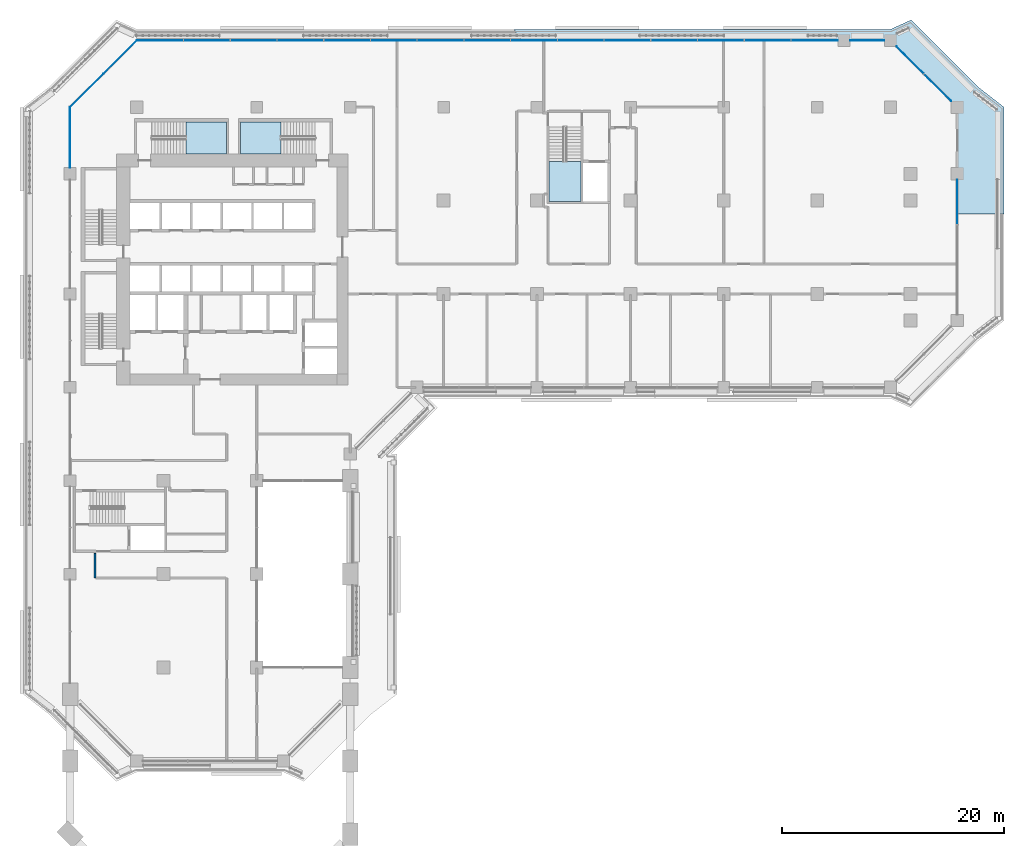
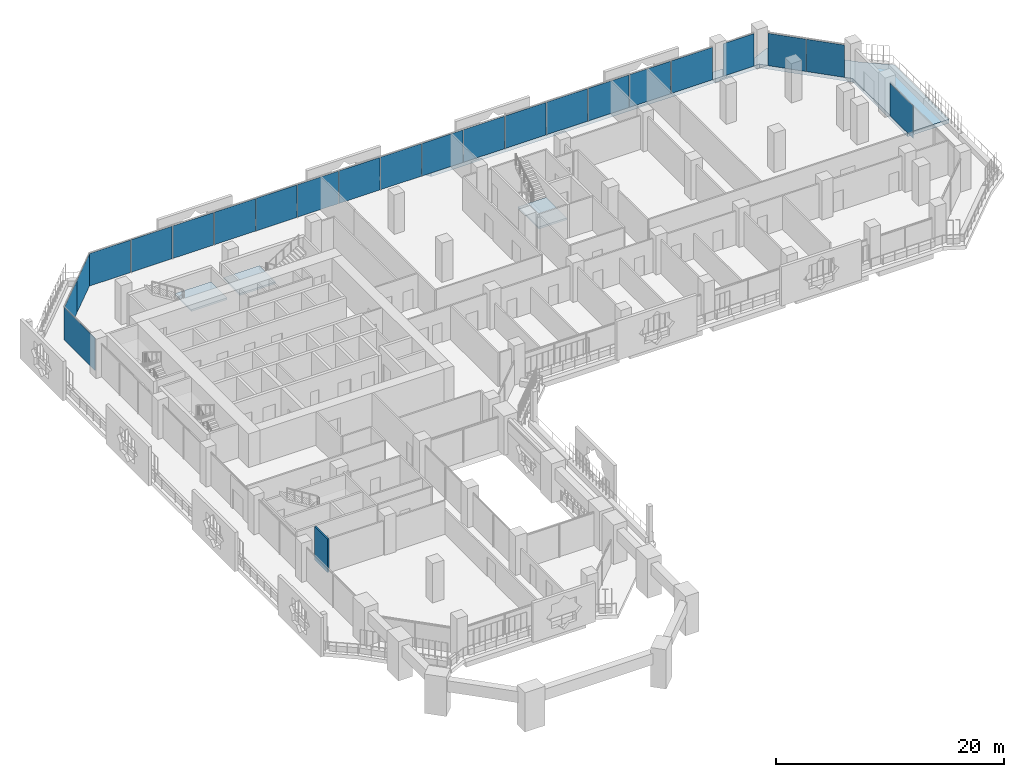
# One storey, part 14 of 29: 22 plates, 4 slabs, 1 wall, 8 elements without a shape of their own.
"""IFC4 building model written with IfcOpenShell, lengths in metres."""

from ifc_helpers import new_model, si_unit, direction, frame, frame_2d, origin, origin_2d, place, context, subcontext, project, spatial, polyline, rectangle, outline, extrude, material, layer, layer_set, type_object, element, aggregate, save


model = new_model("IFC4")

# Units and contexts
model_context = context("Model", 3, precision=1e-05, world=origin(), true_north=direction((0.0, 1.0)))
body_context = subcontext(model_context, "Body", "Model", "MODEL_VIEW")
ifc_project = project(units=[si_unit("LENGTHUNIT", "METRE"), si_unit("AREAUNIT", "SQUARE_METRE"), si_unit("VOLUMEUNIT", "CUBIC_METRE"), si_unit("PLANEANGLEUNIT", "RADIAN"), si_unit("MASSUNIT", "GRAM", prefix="KILO")], contexts=[model_context])

# Site, building, storey
site_placement = place(None, origin())
site = spatial("IfcSite", under=ifc_project, at=site_placement, CompositionType="ELEMENT")
building_placement = place(site_placement, origin())
building = spatial("IfcBuilding", under=site, at=building_placement, Name="Kawkab Arch Medical Tower", CompositionType="ELEMENT")
storey_placement = place(building_placement, frame((0.0, 0.0, 107.199951171875)))
storey = spatial("IfcBuildingStorey", under=building, at=storey_placement, Name="L24", CompositionType="ELEMENT", Elevation=107.199951171875)

# Curtain wall, plate
ifc_material_1 = material(Name="Bronze anodised aluminium curtain wall frame", Category="aluminium")
ifc_layer_1 = layer(ifc_material_1, 0.159912109375)
ifc_layer_set_1 = layer_set([ifc_layer_1], Name="Bronze anodised aluminium curtain wall frame")
curtain_wall_type_1 = type_object("IfcCurtainWallType", Name="CW1 ward curtain wall", PredefinedType="NOTDEFINED", material=ifc_layer_set_1)
placement_1 = place(storey_placement, origin())
curtain_wall_1 = element("IfcCurtainWall", 1, at=placement_1, inside=storey, type_object=curtain_wall_type_1, Name="CW1 Ward curtain wall R09", PredefinedType="NOTDEFINED")
ifc_material_2 = material(Name="Tinted insulating glass, bronze low-e coating", Category="glass")
ifc_layer_2 = layer(ifc_material_2, 0.031982421875)
ifc_layer_set_2 = layer_set([ifc_layer_2], Name="Tinted insulating glass, bronze low-e coating")
plate_type_1 = type_object("IfcPlateType", Name="CW1 glazing unit 32", PredefinedType="CURTAIN_PANEL", material=ifc_layer_set_2)
plate_1_placement = place(storey_placement, frame((79.800048828125, -8.5517578125, 0.0), z_axis=(0.0, 0.0, 1.0), x_axis=(0.0, 1.0, 0.0)))
plate_1 = element("IfcPlate", 2, at=plate_1_placement, type_object=plate_type_1, Name="CW1 glazing unit 1.3", PredefinedType="CURTAIN_PANEL", context=body_context, shape_type="SweptSolid", body=[
    extrude(rectangle(XDim=4.00341796875, YDim=0.031982421875, at=origin_2d()), origin(), (0.0, 0.0, 1.0), 3.47998046875),
])
aggregate(curtain_wall_1, [plate_1])

# Curtain wall, plates
curtain_wall_2 = element("IfcCurtainWall", 3, at=placement_1, inside=storey, type_object=curtain_wall_type_1, Name="CW1 Ward curtain wall R11", PredefinedType="NOTDEFINED")
plate_2_placement = place(storey_placement, frame((71.699951171875, 6.0, 0.0), z_axis=(0.0, 0.0, 1.0), x_axis=(-1.0, 0.0, 0.0)))
plate_2 = element("IfcPlate", 4, at=plate_2_placement, type_object=plate_type_1, Name="CW1 glazing unit 1.1", PredefinedType="CURTAIN_PANEL", context=body_context, shape_type="SweptSolid", body=[
    extrude(rectangle(XDim=3.10009765625, YDim=0.031982421875, at=origin_2d()), origin(), (0.0, 0.0, 1.0), 3.47998046875),
])
plate_3_placement = place(storey_placement, frame((66.96337890625, 6.0, 0.0), z_axis=(0.0, 0.0, 1.0), x_axis=(-1.0, 0.0, 0.0)))
plate_3 = element("IfcPlate", 5, at=plate_3_placement, type_object=plate_type_1, Name="CW1 glazing unit 2.1", PredefinedType="CURTAIN_PANEL", context=body_context, shape_type="SweptSolid", body=[
    extrude(rectangle(XDim=4.17333984375, YDim=0.031982421875, at=origin_2d()), origin(), (0.0, 0.0, 1.0), 3.47998046875),
])
plate_4_placement = place(storey_placement, frame((62.7451171875, 6.0, 0.0), z_axis=(0.0, 0.0, 1.0), x_axis=(-1.0, 0.0, 0.0)))
plate_4 = element("IfcPlate", 6, at=plate_4_placement, type_object=plate_type_1, Name="CW1 glazing unit 2.2", PredefinedType="CURTAIN_PANEL", context=body_context, shape_type="SweptSolid", body=[
    extrude(rectangle(XDim=4.143310546875, YDim=0.031982421875, at=origin_2d()), origin(), (0.0, 0.0, 1.0), 3.47998046875),
])
plate_5_placement = place(storey_placement, frame((58.541748046875, 6.0, 0.0), z_axis=(0.0, 0.0, 1.0), x_axis=(-1.0, 0.0, 0.0)))
plate_5 = element("IfcPlate", 7, at=plate_5_placement, type_object=plate_type_1, Name="CW1 glazing unit 2.3", PredefinedType="CURTAIN_PANEL", context=body_context, shape_type="SweptSolid", body=[
    extrude(rectangle(XDim=4.143310546875, YDim=0.031982421875, at=origin_2d()), origin(), (0.0, 0.0, 1.0), 3.47998046875),
])
plate_6_placement = place(storey_placement, frame((54.33837890625, 6.0, 0.0), z_axis=(0.0, 0.0, 1.0), x_axis=(-1.0, 0.0, 0.0)))
plate_6 = element("IfcPlate", 8, at=plate_6_placement, type_object=plate_type_1, Name="CW1 glazing unit 2.4", PredefinedType="CURTAIN_PANEL", context=body_context, shape_type="SweptSolid", body=[
    extrude(rectangle(XDim=4.143310546875, YDim=0.031982421875, at=origin_2d()), origin(), (0.0, 0.0, 1.0), 3.47998046875),
])
plate_7_placement = place(storey_placement, frame((50.135009765625, 6.0, 0.0), z_axis=(0.0, 0.0, 1.0), x_axis=(-1.0, 0.0, 0.0)))
plate_7 = element("IfcPlate", 9, at=plate_7_placement, type_object=plate_type_1, Name="CW1 glazing unit 2.5", PredefinedType="CURTAIN_PANEL", context=body_context, shape_type="SweptSolid", body=[
    extrude(rectangle(XDim=4.143310546875, YDim=0.031982421875, at=origin_2d()), origin(), (0.0, 0.0, 1.0), 3.47998046875),
])
plate_8_placement = place(storey_placement, frame((45.931640625, 6.0, 0.0), z_axis=(0.0, 0.0, 1.0), x_axis=(-1.0, 0.0, 0.0)))
plate_8 = element("IfcPlate", 10, at=plate_8_placement, type_object=plate_type_1, Name="CW1 glazing unit 2.6", PredefinedType="CURTAIN_PANEL", context=body_context, shape_type="SweptSolid", body=[
    extrude(rectangle(XDim=4.143310546875, YDim=0.031982421875, at=origin_2d()), origin(), (0.0, 0.0, 1.0), 3.47998046875),
])
plate_9_placement = place(storey_placement, frame((41.728271484375, 6.0, 0.0), z_axis=(0.0, 0.0, 1.0), x_axis=(-1.0, 0.0, 0.0)))
plate_9 = element("IfcPlate", 11, at=plate_9_placement, type_object=plate_type_1, Name="CW1 glazing unit 2.7", PredefinedType="CURTAIN_PANEL", context=body_context, shape_type="SweptSolid", body=[
    extrude(rectangle(XDim=4.143310546875, YDim=0.031982421875, at=origin_2d()), origin(), (0.0, 0.0, 1.0), 3.47998046875),
])
plate_10_placement = place(storey_placement, frame((37.52490234375, 6.0, 0.0), z_axis=(0.0, 0.0, 1.0), x_axis=(-1.0, 0.0, 0.0)))
plate_10 = element("IfcPlate", 12, at=plate_10_placement, type_object=plate_type_1, Name="CW1 glazing unit 2.8", PredefinedType="CURTAIN_PANEL", context=body_context, shape_type="SweptSolid", body=[
    extrude(rectangle(XDim=4.143310546875, YDim=0.031982421875, at=origin_2d()), origin(), (0.0, 0.0, 1.0), 3.47998046875),
])
plate_11_placement = place(storey_placement, frame((33.32177734375, 6.0, 0.0), z_axis=(0.0, 0.0, 1.0), x_axis=(-1.0, 0.0, 0.0)))
plate_11 = element("IfcPlate", 13, at=plate_11_placement, type_object=plate_type_1, Name="CW1 glazing unit 2.9", PredefinedType="CURTAIN_PANEL", context=body_context, shape_type="SweptSolid", body=[
    extrude(rectangle(XDim=4.143310546875, YDim=0.031982421875, at=origin_2d()), origin(), (0.0, 0.0, 1.0), 3.47998046875),
])
plate_12_placement = place(storey_placement, frame((29.118408203125, 6.0, 0.0), z_axis=(0.0, 0.0, 1.0), x_axis=(-1.0, 0.0, 0.0)))
plate_12 = element("IfcPlate", 14, at=plate_12_placement, type_object=plate_type_1, Name="CW1 glazing unit 2.10", PredefinedType="CURTAIN_PANEL", context=body_context, shape_type="SweptSolid", body=[
    extrude(rectangle(XDim=4.143310546875, YDim=0.031982421875, at=origin_2d()), origin(), (0.0, 0.0, 1.0), 3.47998046875),
])
plate_13_placement = place(storey_placement, frame((24.9150390625, 6.0, 0.0), z_axis=(0.0, 0.0, 1.0), x_axis=(-1.0, 0.0, 0.0)))
plate_13 = element("IfcPlate", 15, at=plate_13_placement, type_object=plate_type_1, Name="CW1 glazing unit 2.11", PredefinedType="CURTAIN_PANEL", context=body_context, shape_type="SweptSolid", body=[
    extrude(rectangle(XDim=4.143310546875, YDim=0.031982421875, at=origin_2d()), origin(), (0.0, 0.0, 1.0), 3.47998046875),
])
plate_14_placement = place(storey_placement, frame((20.711669921875, 6.0, 0.0), z_axis=(0.0, 0.0, 1.0), x_axis=(-1.0, 0.0, 0.0)))
plate_14 = element("IfcPlate", 16, at=plate_14_placement, type_object=plate_type_1, Name="CW1 glazing unit 2.12", PredefinedType="CURTAIN_PANEL", context=body_context, shape_type="SweptSolid", body=[
    extrude(rectangle(XDim=4.143310546875, YDim=0.031982421875, at=origin_2d()), origin(), (0.0, 0.0, 1.0), 3.47998046875),
])
plate_15_placement = place(storey_placement, frame((16.50830078125, 6.0, 0.0), z_axis=(0.0, 0.0, 1.0), x_axis=(-1.0, 0.0, 0.0)))
plate_15 = element("IfcPlate", 17, at=plate_15_placement, type_object=plate_type_1, Name="CW1 glazing unit 2.13", PredefinedType="CURTAIN_PANEL", context=body_context, shape_type="SweptSolid", body=[
    extrude(rectangle(XDim=4.143310546875, YDim=0.031982421875, at=origin_2d()), origin(), (0.0, 0.0, 1.0), 3.47998046875),
])
plate_16_placement = place(storey_placement, frame((12.304931640625, 6.0, 0.0), z_axis=(0.0, 0.0, 1.0), x_axis=(-1.0, 0.0, 0.0)))
plate_16 = element("IfcPlate", 18, at=plate_16_placement, type_object=plate_type_1, Name="CW1 glazing unit 2.14", PredefinedType="CURTAIN_PANEL", context=body_context, shape_type="SweptSolid", body=[
    extrude(rectangle(XDim=4.143310546875, YDim=0.031982421875, at=origin_2d()), origin(), (0.0, 0.0, 1.0), 3.47998046875),
])
plate_17_placement = place(storey_placement, frame((8.086669921875, 6.0, 0.0), z_axis=(0.0, 0.0, 1.0), x_axis=(-1.0, 0.0, 0.0)))
plate_17 = element("IfcPlate", 19, at=plate_17_placement, type_object=plate_type_1, Name="CW1 glazing unit 2.15", PredefinedType="CURTAIN_PANEL", context=body_context, shape_type="SweptSolid", body=[
    extrude(rectangle(XDim=4.17333984375, YDim=0.031982421875, at=origin_2d()), origin(), (0.0, 0.0, 1.0), 3.47998046875),
])
aggregate(curtain_wall_2, [plate_2, plate_3, plate_4, plate_5, plate_6, plate_7, plate_8, plate_9, plate_10, plate_11, plate_12, plate_13, plate_14, plate_15, plate_16, plate_17])

# Curtain wall, plate
curtain_wall_3 = element("IfcCurtainWall", 20, at=placement_1, inside=storey, type_object=curtain_wall_type_1, Name="CW1 Ward curtain wall R13", PredefinedType="NOTDEFINED")
plate_18_placement = place(storey_placement, frame((0.0, -2.72509765625, 0.0), z_axis=(0.0, 0.0, 1.0), x_axis=(0.0, -1.0, 0.0)))
plate_18 = element("IfcPlate", 21, at=plate_18_placement, type_object=plate_type_1, Name="CW1 glazing unit 1.1", PredefinedType="CURTAIN_PANEL", context=body_context, shape_type="SweptSolid", body=[
    extrude(rectangle(XDim=5.449951171875, YDim=0.031982421875, at=origin_2d()), origin(), (0.0, 0.0, 1.0), 3.47998046875),
])
aggregate(curtain_wall_3, [plate_18])

# Curtain wall, plates
ifc_material_3 = material(Name="Bronze anodised aluminium curtain wall frame", Category="aluminium")
ifc_layer_3 = layer(ifc_material_3, 0.159912109375)
ifc_layer_set_3 = layer_set([ifc_layer_3], Name="Bronze anodised aluminium curtain wall frame")
curtain_wall_type_2 = type_object("IfcCurtainWallType", Name="CW2 chamfer curtain wall", PredefinedType="NOTDEFINED", material=ifc_layer_set_3)
curtain_wall_4 = element("IfcCurtainWall", 22, at=placement_1, inside=storey, type_object=curtain_wall_type_2, Name="CW2 Chamfer curtain wall R10", PredefinedType="NOTDEFINED")
ifc_material_4 = material(Name="Tinted insulating glass, bronze low-e coating", Category="glass")
ifc_layer_4 = layer(ifc_material_4, 0.031982421875)
ifc_layer_set_4 = layer_set([ifc_layer_4], Name="Tinted insulating glass, bronze low-e coating")
plate_type_2 = type_object("IfcPlateType", Name="CW2 glazing unit 32", PredefinedType="CURTAIN_PANEL", material=ifc_layer_set_4)
plate_19_placement = place(storey_placement, frame((78.03564453125, 1.764404296875, 0.0), z_axis=(0.0, 0.0, 1.0), x_axis=(-0.707106781187, 0.707106781187, 0.0)))
plate_19 = element("IfcPlate", 23, at=plate_19_placement, type_object=plate_type_2, Name="CW2 glazing unit 1.1", PredefinedType="CURTAIN_PANEL", context=body_context, shape_type="SweptSolid", body=[
    extrude(rectangle(XDim=3.434814453125, YDim=0.031982421875, at=origin_2d()), origin(), (0.0, 0.0, 1.0), 3.4599609375),
])
plate_20_placement = place(storey_placement, frame((75.564453125, 4.235595703125, 0.0), z_axis=(0.0, 0.0, 1.0), x_axis=(-0.707106781187, 0.707106781187, 0.0)))
plate_20 = element("IfcPlate", 24, at=plate_20_placement, type_object=plate_type_2, Name="CW2 glazing unit 1.2", PredefinedType="CURTAIN_PANEL", context=body_context, shape_type="SweptSolid", body=[
    extrude(rectangle(XDim=3.434814453125, YDim=0.031982421875, at=origin_2d()), origin(), (0.0, 0.0, 1.0), 3.4599609375),
])
aggregate(curtain_wall_4, [plate_19, plate_20])

curtain_wall_5 = element("IfcCurtainWall", 25, at=placement_1, inside=storey, type_object=curtain_wall_type_2, Name="CW2 Chamfer curtain wall R12", PredefinedType="NOTDEFINED")
plate_21_placement = place(storey_placement, frame((4.5, 4.5, 0.0), z_axis=(0.0, 0.0, 1.0), x_axis=(-0.707106781187, -0.707106781187, 0.0)))
plate_21 = element("IfcPlate", 26, at=plate_21_placement, type_object=plate_type_2, Name="CW2 glazing unit 1.1", PredefinedType="CURTAIN_PANEL", context=body_context, shape_type="SweptSolid", body=[
    extrude(rectangle(XDim=4.24267578125, YDim=0.031982421875, at=origin_2d()), origin(), (0.0, 0.0, 1.0), 3.4599609375),
])
plate_22_placement = place(storey_placement, frame((1.5, 1.5, 0.0), z_axis=(0.0, 0.0, 1.0), x_axis=(-0.707106781187, -0.707106781187, 0.0)))
plate_22 = element("IfcPlate", 27, at=plate_22_placement, type_object=plate_type_2, Name="CW2 glazing unit 2.1", PredefinedType="CURTAIN_PANEL", context=body_context, shape_type="SweptSolid", body=[
    extrude(rectangle(XDim=4.24267578125, YDim=0.031982421875, at=origin_2d()), origin(), (0.0, 0.0, 1.0), 3.4599609375),
])
aggregate(curtain_wall_5, [plate_21, plate_22])

# Stair, slab
ifc_material_5 = material(Name="Concrete C40/50", Category="concrete")
stair_type = type_object("IfcStairType", Name="Exit stair 1350", PredefinedType="HALF_TURN_STAIR", material=ifc_material_5)
stair_1 = element("IfcStair", 28, at=placement_1, inside=storey, type_object=stair_type, Name="L24 Exit stair ST3", PredefinedType="HALF_TURN_STAIR")
ifc_material_6 = material(Name="Concrete C40/50", Category="concrete")
ifc_layer_5 = layer(ifc_material_6, 0.199951171875)
ifc_layer_set_5 = layer_set([ifc_layer_5], Name="Concrete C40/50")
slab_type_1 = type_object("IfcSlabType", Name="Exit stair landing 200", PredefinedType="LANDING", material=ifc_layer_set_5)
placement_2 = place(storey_placement, frame((0.0, 0.0, 1.900146484375)))
slab_1 = element("IfcSlab", 29, at=placement_2, type_object=slab_type_1, Name="ST3 landing 1", PredefinedType="LANDING", context=body_context, shape_type="SweptSolid", body=[
    extrude(outline(polyline([(10.429931640625, -4.199951171875), (14.050048828125, -4.199951171875), (14.050048828125, -1.35009765625), (10.429931640625, -1.35009765625), (10.429931640625, -4.199951171875)])), origin(), (0.0, 0.0, 1.0), 0.199951171875),
])
aggregate(stair_1, [slab_1])

stair_2 = element("IfcStair", 30, at=placement_1, inside=storey, type_object=stair_type, Name="L24 Exit stair ST4", PredefinedType="HALF_TURN_STAIR")
slab_2 = element("IfcSlab", 31, at=placement_2, type_object=slab_type_1, Name="ST4 landing 1", PredefinedType="LANDING", context=body_context, shape_type="SweptSolid", body=[
    extrude(outline(polyline([(18.969970703125, -1.35009765625), (15.35009765625, -1.35009765625), (15.35009765625, -4.199951171875), (18.969970703125, -4.199951171875), (18.969970703125, -1.35009765625)])), origin(), (0.0, 0.0, 1.0), 0.199951171875),
])
aggregate(stair_2, [slab_2])

stair_3 = element("IfcStair", 32, at=placement_1, inside=storey, type_object=stair_type, Name="L24 Exit stair ST5", PredefinedType="HALF_TURN_STAIR")
slab_3 = element("IfcSlab", 33, at=placement_2, type_object=slab_type_1, Name="ST5 landing 1", PredefinedType="LANDING", context=body_context, shape_type="SweptSolid", body=[
    extrude(outline(polyline([(43.10009765625, -4.8798828125), (43.10009765625, -8.5), (45.949951171875, -8.5), (45.949951171875, -4.8798828125), (43.10009765625, -4.8798828125)])), origin(), (0.0, 0.0, 1.0), 0.199951171875),
])
aggregate(stair_3, [slab_3])

# Slab
ifc_material_7 = material(Name="Concrete C40/50", Category="concrete")
ifc_layer_6 = layer(ifc_material_7, 0.39990234375)
ifc_layer_set_6 = layer_set([ifc_layer_6], Name="Concrete C40/50")
slab_type_2 = type_object("IfcSlabType", Name="Loggia slab 400", PredefinedType="FLOOR", material=ifc_layer_set_6)
slab_4_placement = place(storey_placement, frame((0.0, 0.0, -0.39990234375)))
element("IfcSlab", 34, at=slab_4_placement, inside=storey, type_object=slab_type_2, Name="Loggia slab L24.5", PredefinedType="FLOOR", context=body_context, shape_type="SweptSolid", body=[
    extrude(outline(polyline([(75.637939453125, 7.837890625), (81.637939453125, 1.837890625), (84.0, 0.0), (84.0, -9.60009765625), (79.800048828125, -9.60009765625), (79.800048828125, 0.0), (73.800048828125, 6.0), (40.55908203125, 6.0), (39.91796875, 7.0), (73.800048828125, 7.0), (75.637939453125, 7.837890625)])), origin(), (0.0, 0.0, 1.0), 0.39990234375),
])

# Wall
ifc_material_8 = material(Name="Gypsum board partition on steel studs, mineral wool", Category="steel")
ifc_layer_7 = layer(ifc_material_8, 0.14990234375)
ifc_layer_set_7 = layer_set([ifc_layer_7], Name="Gypsum board partition on steel studs, mineral wool")
wall_type = type_object("IfcWallType", Name="Partition 150", PredefinedType="PARTITIONING", material=ifc_layer_set_7)
wall_placement = place(storey_placement, frame((2.25, -42.347900390625, 0.0), z_axis=(0.0, 0.0, 1.0), x_axis=(0.0, 1.0, 0.0)))
element("IfcWall", 35, at=wall_placement, inside=storey, type_object=wall_type, Name="Partition 150 w023", PredefinedType="PARTITIONING", context=body_context, shape_type="SweptSolid", body=[
    extrude(rectangle(XDim=2.218017578125, YDim=0.14990234375, at=frame_2d((1.10888671875, 0.0))), origin(), (0.0, 0.0, 1.0), 3.60009765625),
])

save(model, "model.ifc")
